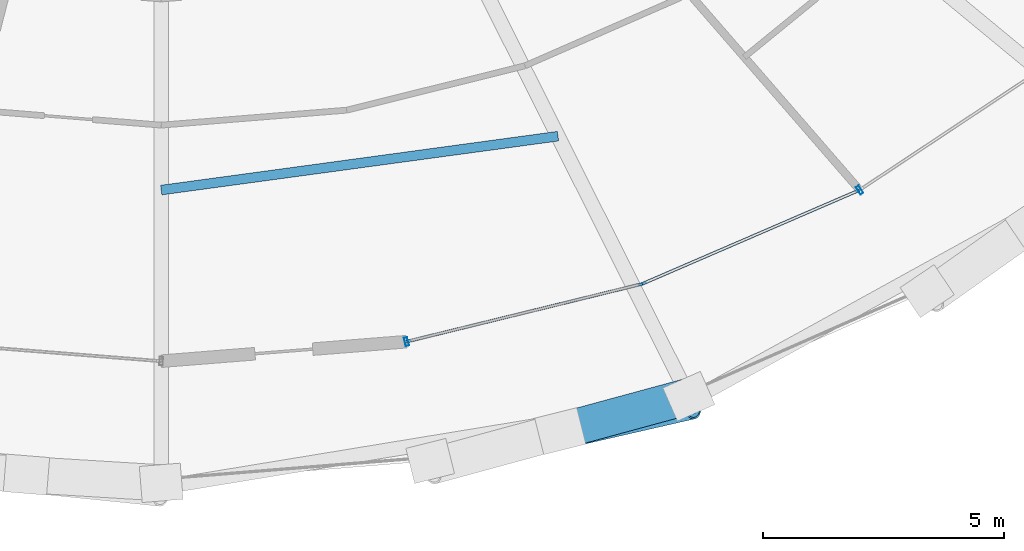
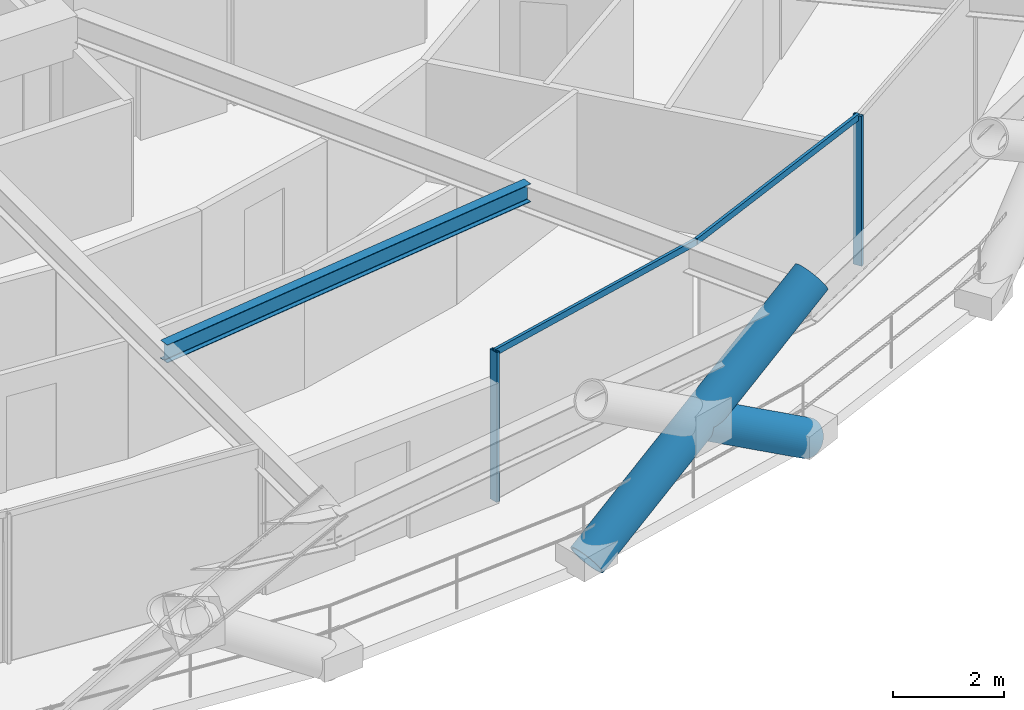
# One storey, part 6 of 17: 6 members, 1 beam, 1 element without a shape of its own.
"""IFC4 building model written with IfcOpenShell, lengths in metres."""

from ifc_helpers import new_model, si_unit, direction, frame, origin, origin_2d, place, context, subcontext, project, spatial, hollow_rectangle, hollow_circle, i_section, extrude, material, layer, layer_set, material_profile, profile_set, type_object, element, aggregate, save


model = new_model("IFC4")

# Units and contexts
model_context = context("Model", 3, precision=1e-05, world=origin(), true_north=direction((0.0, 1.0)))
body_context = subcontext(model_context, "Body", "Model", "MODEL_VIEW")
ifc_project = project(units=[si_unit("LENGTHUNIT", "METRE"), si_unit("AREAUNIT", "SQUARE_METRE"), si_unit("VOLUMEUNIT", "CUBIC_METRE"), si_unit("PLANEANGLEUNIT", "RADIAN"), si_unit("MASSUNIT", "GRAM", prefix="KILO")], contexts=[model_context])

# Site, building, storey
site_placement = place(None, origin())
site = spatial("IfcSite", under=ifc_project, at=site_placement, CompositionType="ELEMENT")
building_placement = place(site_placement, origin())
building = spatial("IfcBuilding", under=site, at=building_placement, Name="Veldorina Hangang Commons", CompositionType="ELEMENT")
storey_placement = place(building_placement, frame((0.0, 0.0, 55.60009765625)))
storey = spatial("IfcBuildingStorey", under=building, at=storey_placement, Name="L13", CompositionType="ELEMENT", Elevation=55.60009765625)

# Beam
ifc_material_1 = material(Name="Steel SM355-TMC", Category="steel")
ifc_material_profile_1 = material_profile(ifc_material_1, i_section(OverallWidth=0.199951171875, OverallDepth=0.39990234375, WebThickness=0.008056640625, FlangeThickness=0.012939453125, FilletRadius=0.012939453125, at=origin_2d()), Name="H-400x200x8x13")
ifc_profile_set_1 = profile_set([ifc_material_profile_1], Name="Steel SM355-TMC")
beam_type = type_object("IfcBeamType", Name="BM-JST400", PredefinedType="JOIST", material=ifc_profile_set_1)
beam_placement = place(storey_placement, frame((32.0, 6.503662109375, 3.139892578125), z_axis=(0.990899710988, 0.134602239072, 0.0), x_axis=(-0.134602239072, 0.990899710988, 0.0)))
element("IfcBeam", 1, at=beam_placement, inside=storey, type_object=beam_type, Name="L13 secondary floor joist 13", PredefinedType="JOIST", context=body_context, shape_type="SweptSolid", body=[
    extrude(i_section(OverallWidth=0.199951171875, OverallDepth=0.39990234375, WebThickness=0.008056640625, FlangeThickness=0.012939453125, FilletRadius=0.012939453125, at=origin_2d()), origin(), (0.0, 0.0, 1.0), 8.29443359375),
])

# Curtain wall, members
ifc_material_2 = material(Name="Glass Low-E Triple IGU", Category="glass")
ifc_layer = layer(ifc_material_2, 0.179931640625)
ifc_layer_set = layer_set([ifc_layer], Name="Glass Low-E Triple IGU")
curtain_wall_type = type_object("IfcCurtainWallType", Name="CW-SYS-Z1", PredefinedType="NOTDEFINED", material=ifc_layer_set)
curtain_wall_placement = place(storey_placement, origin())
curtain_wall = element("IfcCurtainWall", 2, at=curtain_wall_placement, inside=storey, type_object=curtain_wall_type, Name="L13 unitised curtain wall CW-L13-R2", PredefinedType="NOTDEFINED")
ifc_material_3 = material(Name="Aluminium Anodized AA6063-T6", Category="aluminium")
ifc_material_profile_2 = material_profile(ifc_material_3, hollow_rectangle(XDim=0.070068359375, YDim=0.179931640625, WallThickness=0.00390625, at=origin_2d()), Name="ALU-RHS-180x70x4")
ifc_profile_set_2 = profile_set([ifc_material_profile_2], Name="Aluminium Anodized AA6063-T6")
member_type_1 = type_object("IfcMemberType", Name="CW-MUL-180", PredefinedType="MULLION", material=ifc_profile_set_2)
member_1_placement = place(storey_placement, frame((37.080322265625, 3.363525390625, 0.0), z_axis=(0.0, 0.0, 1.0), x_axis=(0.97125073338, 0.238058843376, 0.0)))
member_1 = element("IfcMember", 3, at=member_1_placement, type_object=member_type_1, Name="CW-L13-R2 vertical mullion 1", PredefinedType="MULLION", context=body_context, shape_type="SweptSolid", body=[
    extrude(hollow_rectangle(XDim=0.070068359375, YDim=0.179931640625, WallThickness=0.00390625, at=origin_2d()), origin(), (0.0, 0.0, 1.0), 3.2998046875),
])
member_2_placement = place(storey_placement, frame((46.46728515625, 6.50537109375, 0.0), z_axis=(0.0, 0.0, 1.0), x_axis=(0.833423139847, 0.552635386098, 0.0)))
member_2 = element("IfcMember", 4, at=member_2_placement, type_object=member_type_1, Name="CW-L13-R2 vertical mullion 2", PredefinedType="MULLION", context=body_context, shape_type="SweptSolid", body=[
    extrude(hollow_rectangle(XDim=0.070068359375, YDim=0.179931640625, WallThickness=0.00390625, at=origin_2d()), origin(), (0.0, 0.0, 1.0), 3.2998046875),
])
ifc_material_profile_3 = material_profile(ifc_material_3, hollow_rectangle(XDim=0.06005859375, YDim=0.139892578125, WallThickness=0.00341796875, at=origin_2d()), Name="ALU-RHS-140x60x3.5")
ifc_profile_set_3 = profile_set([ifc_material_profile_3], Name="Aluminium Anodized AA6063-T6")
member_type_2 = type_object("IfcMemberType", Name="CW-TRN-140", PredefinedType="USERDEFINED", material=ifc_profile_set_3)
member_3_placement = place(storey_placement, frame((37.080322265625, 3.363525390625, 3.260009765625), z_axis=(0.971254266977, 0.238044426271, 0.0), x_axis=(-0.238044426271, 0.971254266977, 0.0)))
member_3 = element("IfcMember", 5, at=member_3_placement, type_object=member_type_2, Name="CW-L13-R2 facet 1 transom 1", ObjectType="TRANSOM", PredefinedType="USERDEFINED", context=body_context, shape_type="SweptSolid", body=[
    extrude(hollow_rectangle(XDim=0.06005859375, YDim=0.139892578125, WallThickness=0.00341796875, at=origin_2d()), origin(), (0.0, 0.0, 1.0), 5.029541015625),
])
member_4_placement = place(storey_placement, frame((41.96533203125, 4.560791015625, 3.260009765625), z_axis=(0.918021168769, 0.396531377942, 0.0), x_axis=(-0.396531377942, 0.918021168769, 0.0)))
member_4 = element("IfcMember", 6, at=member_4_placement, type_object=member_type_2, Name="CW-L13-R2 facet 2 transom 1", ObjectType="TRANSOM", PredefinedType="USERDEFINED", context=body_context, shape_type="SweptSolid", body=[
    extrude(hollow_rectangle(XDim=0.06005859375, YDim=0.139892578125, WallThickness=0.00341796875, at=origin_2d()), origin(), (0.0, 0.0, 1.0), 4.904052734375),
])
aggregate(curtain_wall, [member_1, member_2, member_3, member_4])

# Members
ifc_material_4 = material(Name="Steel SM460-TMC", Category="steel")
ifc_material_profile_4 = material_profile(ifc_material_4, hollow_circle(Radius=0.375, WallThickness=0.035888671875, at=origin_2d()), Name="CHS-750x36")
ifc_profile_set_4 = profile_set([ifc_material_profile_4], Name="Steel SM460-TMC")
member_type_3 = type_object("IfcMemberType", Name="DG-CHS750", PredefinedType="BRACE", material=ifc_profile_set_4)
member_5_placement = place(storey_placement, frame((37.572021484375, 0.89208984375, 0.0), z_axis=(0.817371020117, 0.187262616064, 0.544827796737), x_axis=(-0.22331771853, 0.97474570868, 0.0)))
element("IfcMember", 7, at=member_5_placement, inside=storey, type_object=member_type_3, Name="L13 continuous perimeter diagrid brace 25", PredefinedType="BRACE", context=body_context, shape_type="SweptSolid", body=[
    extrude(hollow_circle(Radius=0.375, WallThickness=0.035888671875, at=origin_2d()), origin(), (0.0, 0.0, 1.0), 6.607421875),
])
member_6_placement = place(storey_placement, frame((42.9296875, 2.23291015625, 0.0), z_axis=(-0.808742442437, -0.219703296685, 0.545587869391), x_axis=(0.262158996013, -0.965024694404, 0.0)))
element("IfcMember", 8, at=member_6_placement, inside=storey, type_object=member_type_3, Name="L13 split perimeter diagrid lower brace 26", PredefinedType="BRACE", context=body_context, shape_type="SweptSolid", body=[
    extrude(hollow_circle(Radius=0.375, WallThickness=0.035888671875, at=origin_2d()), origin(), (0.0, 0.0, 1.0), 3.29248046875),
])

save(model, "model.ifc")
